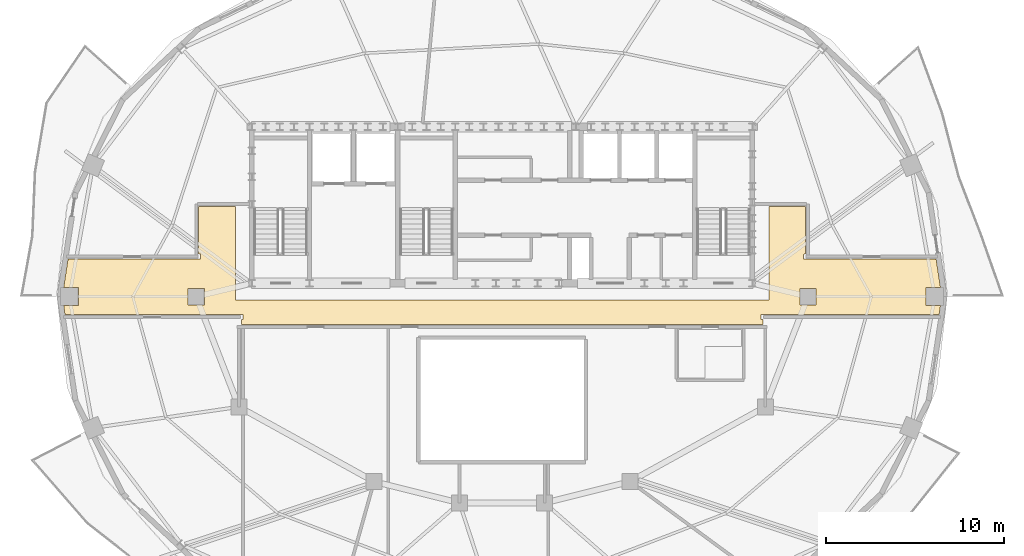
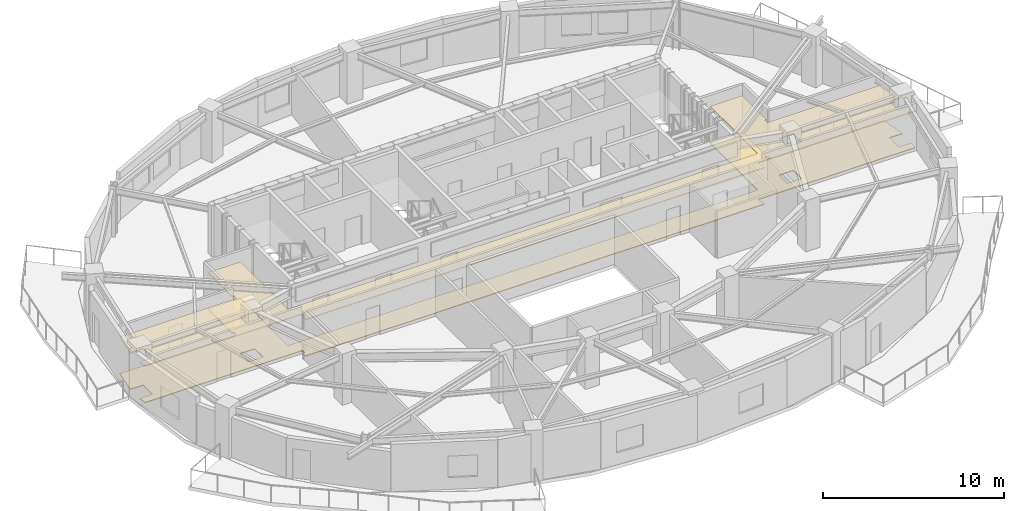
# One storey, part 8 of 10: 2 coverings.
"""IFC4 building model written with IfcOpenShell, lengths in metres."""

from ifc_helpers import new_model, si_unit, direction, frame, origin, place, context, subcontext, project, spatial, polyline, outline, extrude, material, layer, layer_set, type_object, element, save


model = new_model("IFC4")

# Units and contexts
model_context = context("Model", 3, precision=1e-05, world=origin(), true_north=direction((0.0, 1.0)))
body_context = subcontext(model_context, "Body", "Model", "MODEL_VIEW")
ifc_project = project(units=[si_unit("LENGTHUNIT", "METRE"), si_unit("AREAUNIT", "SQUARE_METRE"), si_unit("VOLUMEUNIT", "CUBIC_METRE"), si_unit("PLANEANGLEUNIT", "RADIAN"), si_unit("MASSUNIT", "GRAM", prefix="KILO")], contexts=[model_context])

# Site, building, storey
site_placement = place(None, origin())
site = spatial("IfcSite", under=ifc_project, at=site_placement, CompositionType="ELEMENT")
building_placement = place(site_placement, origin())
building = spatial("IfcBuilding", under=site, at=building_placement, Name="Haldorwick Loom Tower", CompositionType="ELEMENT")
storey_placement = place(building_placement, frame((0.0, 0.0, 266.10009765625)))
storey = spatial("IfcBuildingStorey", under=building, at=storey_placement, Name="L72", CompositionType="ELEMENT", Elevation=266.10009765625)

# Coverings
ifc_material_1 = material(Name="Mineral Fibre Acoustic Ceiling Tile")
ifc_layer_1 = layer(ifc_material_1, 0.054931640625, Name="Mineral Fibre Acoustic Ceiling Tile")
ifc_layer_set_1 = layer_set([ifc_layer_1], Name="Mineral Fibre Acoustic Ceiling Tile")
covering_type_1 = type_object("IfcCoveringType", Name="ARC-COV-CEIL2", PredefinedType="CEILING", material=ifc_layer_set_1)
covering_1_placement = place(storey_placement, frame((0.0, 0.0, 2.458984375)))
element("IfcCovering", 1, at=covering_1_placement, inside=storey, type_object=covering_type_1, Name="L72 Acoustic Suspended Ceiling 1", PredefinedType="CEILING", context=body_context, shape_type="SweptSolid", body=[
    extrude(outline(polyline([(11.423583984375, 24.989990234375), (21.419921875, 24.989990234375), (21.422119140625, 24.989990234375), (21.423828125, 24.989501953125), (21.42578125, 24.989013671875), (21.427734375, 24.988525390625), (21.429443359375, 24.987548828125), (21.43115234375, 24.986572265625), (21.4326171875, 24.985595703125), (21.43408203125, 24.984130859375), (21.435546875, 24.982666015625), (21.4365234375, 24.981201171875), (21.4375, 24.9794921875), (21.4384765625, 24.977783203125), (21.439208984375, 24.975830078125), (21.439697265625, 24.973876953125), (21.43994140625, 24.971923828125), (21.43994140625, 24.969970703125), (21.43994140625, 24.72998046875), (21.43994140625, 24.72802734375), (21.439697265625, 24.72607421875), (21.439208984375, 24.72412109375), (21.4384765625, 24.722412109375), (21.4375, 24.720703125), (21.4365234375, 24.718994140625), (21.435546875, 24.71728515625), (21.43408203125, 24.7158203125), (21.4326171875, 24.714599609375), (21.43115234375, 24.71337890625), (21.429443359375, 24.71240234375), (21.427734375, 24.71142578125), (21.42578125, 24.7109375), (21.423828125, 24.71044921875), (21.422119140625, 24.710205078125), (21.419921875, 24.7099609375), (21.340087890625, 24.7099609375), (21.340087890625, 24.43994140625), (50.659912109375, 24.43994140625), (50.659912109375, 24.7099609375), (50.580078125, 24.7099609375), (50.577880859375, 24.710205078125), (50.576171875, 24.71044921875), (50.57421875, 24.7109375), (50.572265625, 24.71142578125), (50.570556640625, 24.71240234375), (50.56884765625, 24.71337890625), (50.5673828125, 24.714599609375), (50.56591796875, 24.7158203125), (50.564453125, 24.71728515625), (50.5634765625, 24.718994140625), (50.5625, 24.720703125), (50.5615234375, 24.722412109375), (50.560791015625, 24.72412109375), (50.560302734375, 24.72607421875), (50.56005859375, 24.72802734375), (50.56005859375, 24.72998046875), (50.56005859375, 24.969970703125), (50.56005859375, 24.971923828125), (50.560302734375, 24.973876953125), (50.560791015625, 24.975830078125), (50.5615234375, 24.977783203125), (50.5625, 24.9794921875), (50.5634765625, 24.981201171875), (50.564453125, 24.982666015625), (50.56591796875, 24.984130859375), (50.5673828125, 24.985595703125), (50.56884765625, 24.986572265625), (50.570556640625, 24.987548828125), (50.572265625, 24.988525390625), (50.57421875, 24.989013671875), (50.576171875, 24.989501953125), (50.577880859375, 24.989990234375), (50.580078125, 24.989990234375), (60.576416015625, 24.989990234375), (60.65283203125, 25.491943359375), (59.828857421875, 25.491943359375), (59.828857421875, 26.508056640625), (60.65283203125, 26.508056640625), (60.408935546875, 28.110107421875), (52.97998046875, 28.110107421875), (52.97802734375, 28.110107421875), (52.97607421875, 28.1103515625), (52.97412109375, 28.11083984375), (52.972412109375, 28.111572265625), (52.970703125, 28.1123046875), (52.968994140625, 28.11328125), (52.96728515625, 28.114501953125), (52.9658203125, 28.115966796875), (52.964599609375, 28.1171875), (52.96337890625, 28.118896484375), (52.96240234375, 28.12060546875), (52.96142578125, 28.122314453125), (52.9609375, 28.124267578125), (52.96044921875, 28.126220703125), (52.960205078125, 28.1279296875), (52.9599609375, 28.1298828125), (52.9599609375, 28.3701171875), (52.960205078125, 28.3720703125), (52.96044921875, 28.373779296875), (52.9609375, 28.375732421875), (52.96142578125, 28.377685546875), (52.96240234375, 28.37939453125), (52.96337890625, 28.381103515625), (52.964599609375, 28.3828125), (52.9658203125, 28.384033203125), (52.96728515625, 28.385498046875), (52.968994140625, 28.38671875), (52.970703125, 28.3876953125), (52.972412109375, 28.388427734375), (52.97412109375, 28.38916015625), (52.97607421875, 28.3896484375), (52.97802734375, 28.389892578125), (52.97998046875, 28.389892578125), (53.06005859375, 28.389892578125), (53.06005859375, 31.06005859375), (51.0, 31.06005859375), (51.0, 25.800048828125), (21.0, 25.800048828125), (21.0, 31.06005859375), (18.93994140625, 31.06005859375), (18.93994140625, 28.389892578125), (19.02001953125, 28.389892578125), (19.02197265625, 28.389892578125), (19.02392578125, 28.3896484375), (19.02587890625, 28.38916015625), (19.027587890625, 28.388427734375), (19.029296875, 28.3876953125), (19.031005859375, 28.38671875), (19.03271484375, 28.385498046875), (19.0341796875, 28.384033203125), (19.035400390625, 28.3828125), (19.03662109375, 28.381103515625), (19.03759765625, 28.37939453125), (19.03857421875, 28.377685546875), (19.0390625, 28.375732421875), (19.03955078125, 28.373779296875), (19.039794921875, 28.3720703125), (19.0400390625, 28.3701171875), (19.0400390625, 28.1298828125), (19.039794921875, 28.1279296875), (19.03955078125, 28.126220703125), (19.0390625, 28.124267578125), (19.03857421875, 28.122314453125), (19.03759765625, 28.12060546875), (19.03662109375, 28.118896484375), (19.035400390625, 28.1171875), (19.0341796875, 28.115966796875), (19.03271484375, 28.114501953125), (19.031005859375, 28.11328125), (19.029296875, 28.1123046875), (19.027587890625, 28.111572265625), (19.02587890625, 28.11083984375), (19.02392578125, 28.1103515625), (19.02197265625, 28.110107421875), (19.02001953125, 28.110107421875), (11.591064453125, 28.110107421875), (11.34716796875, 26.508056640625), (12.171142578125, 26.508056640625), (12.171142578125, 25.491943359375), (11.34716796875, 25.491943359375), (11.423583984375, 24.989990234375)]), holes=[polyline([(19.258056640625, 26.4580078125), (19.258056640625, 25.5419921875), (18.342041015625, 25.5419921875), (18.342041015625, 26.4580078125), (19.258056640625, 26.4580078125)]), polyline([(53.657958984375, 26.4580078125), (53.657958984375, 25.5419921875), (52.741943359375, 25.5419921875), (52.741943359375, 26.4580078125), (53.657958984375, 26.4580078125)])]), origin(), (0.0, 0.0, 1.0), 0.054931640625),
])
ifc_material_2 = material(Name="Polished Aggregate Terrazzo Finish")
ifc_layer_2 = layer(ifc_material_2, 0.044921875, Name="Polished Aggregate Terrazzo Finish")
ifc_layer_set_2 = layer_set([ifc_layer_2], Name="Polished Aggregate Terrazzo Finish")
covering_type_2 = type_object("IfcCoveringType", Name="ARC-COV-FLOOR2", PredefinedType="FLOORING", material=ifc_layer_set_2)
covering_2_placement = place(storey_placement, origin())
element("IfcCovering", 2, at=covering_2_placement, inside=storey, type_object=covering_type_2, Name="L72 Floor Finish 1", PredefinedType="FLOORING", context=body_context, shape_type="SweptSolid", body=[
    extrude(outline(polyline([(11.423583984375, 24.989990234375), (21.419921875, 24.989990234375), (21.422119140625, 24.989990234375), (21.423828125, 24.989501953125), (21.42578125, 24.989013671875), (21.427734375, 24.988525390625), (21.429443359375, 24.987548828125), (21.43115234375, 24.986572265625), (21.4326171875, 24.985595703125), (21.43408203125, 24.984130859375), (21.435546875, 24.982666015625), (21.4365234375, 24.981201171875), (21.4375, 24.9794921875), (21.4384765625, 24.977783203125), (21.439208984375, 24.975830078125), (21.439697265625, 24.973876953125), (21.43994140625, 24.971923828125), (21.43994140625, 24.969970703125), (21.43994140625, 24.72998046875), (21.43994140625, 24.72802734375), (21.439697265625, 24.72607421875), (21.439208984375, 24.72412109375), (21.4384765625, 24.722412109375), (21.4375, 24.720703125), (21.4365234375, 24.718994140625), (21.435546875, 24.71728515625), (21.43408203125, 24.7158203125), (21.4326171875, 24.714599609375), (21.43115234375, 24.71337890625), (21.429443359375, 24.71240234375), (21.427734375, 24.71142578125), (21.42578125, 24.7109375), (21.423828125, 24.71044921875), (21.422119140625, 24.710205078125), (21.419921875, 24.7099609375), (21.340087890625, 24.7099609375), (21.340087890625, 24.43994140625), (50.659912109375, 24.43994140625), (50.659912109375, 24.7099609375), (50.580078125, 24.7099609375), (50.577880859375, 24.710205078125), (50.576171875, 24.71044921875), (50.57421875, 24.7109375), (50.572265625, 24.71142578125), (50.570556640625, 24.71240234375), (50.56884765625, 24.71337890625), (50.5673828125, 24.714599609375), (50.56591796875, 24.7158203125), (50.564453125, 24.71728515625), (50.5634765625, 24.718994140625), (50.5625, 24.720703125), (50.5615234375, 24.722412109375), (50.560791015625, 24.72412109375), (50.560302734375, 24.72607421875), (50.56005859375, 24.72802734375), (50.56005859375, 24.72998046875), (50.56005859375, 24.969970703125), (50.56005859375, 24.971923828125), (50.560302734375, 24.973876953125), (50.560791015625, 24.975830078125), (50.5615234375, 24.977783203125), (50.5625, 24.9794921875), (50.5634765625, 24.981201171875), (50.564453125, 24.982666015625), (50.56591796875, 24.984130859375), (50.5673828125, 24.985595703125), (50.56884765625, 24.986572265625), (50.570556640625, 24.987548828125), (50.572265625, 24.988525390625), (50.57421875, 24.989013671875), (50.576171875, 24.989501953125), (50.577880859375, 24.989990234375), (50.580078125, 24.989990234375), (60.576416015625, 24.989990234375), (60.65283203125, 25.491943359375), (59.828857421875, 25.491943359375), (59.828857421875, 26.508056640625), (60.65283203125, 26.508056640625), (60.408935546875, 28.110107421875), (52.97998046875, 28.110107421875), (52.97802734375, 28.110107421875), (52.97607421875, 28.1103515625), (52.97412109375, 28.11083984375), (52.972412109375, 28.111572265625), (52.970703125, 28.1123046875), (52.968994140625, 28.11328125), (52.96728515625, 28.114501953125), (52.9658203125, 28.115966796875), (52.964599609375, 28.1171875), (52.96337890625, 28.118896484375), (52.96240234375, 28.12060546875), (52.96142578125, 28.122314453125), (52.9609375, 28.124267578125), (52.96044921875, 28.126220703125), (52.960205078125, 28.1279296875), (52.9599609375, 28.1298828125), (52.9599609375, 28.3701171875), (52.960205078125, 28.3720703125), (52.96044921875, 28.373779296875), (52.9609375, 28.375732421875), (52.96142578125, 28.377685546875), (52.96240234375, 28.37939453125), (52.96337890625, 28.381103515625), (52.964599609375, 28.3828125), (52.9658203125, 28.384033203125), (52.96728515625, 28.385498046875), (52.968994140625, 28.38671875), (52.970703125, 28.3876953125), (52.972412109375, 28.388427734375), (52.97412109375, 28.38916015625), (52.97607421875, 28.3896484375), (52.97802734375, 28.389892578125), (52.97998046875, 28.389892578125), (53.06005859375, 28.389892578125), (53.06005859375, 31.06005859375), (51.0, 31.06005859375), (51.0, 25.800048828125), (21.0, 25.800048828125), (21.0, 31.06005859375), (18.93994140625, 31.06005859375), (18.93994140625, 28.389892578125), (19.02001953125, 28.389892578125), (19.02197265625, 28.389892578125), (19.02392578125, 28.3896484375), (19.02587890625, 28.38916015625), (19.027587890625, 28.388427734375), (19.029296875, 28.3876953125), (19.031005859375, 28.38671875), (19.03271484375, 28.385498046875), (19.0341796875, 28.384033203125), (19.035400390625, 28.3828125), (19.03662109375, 28.381103515625), (19.03759765625, 28.37939453125), (19.03857421875, 28.377685546875), (19.0390625, 28.375732421875), (19.03955078125, 28.373779296875), (19.039794921875, 28.3720703125), (19.0400390625, 28.3701171875), (19.0400390625, 28.1298828125), (19.039794921875, 28.1279296875), (19.03955078125, 28.126220703125), (19.0390625, 28.124267578125), (19.03857421875, 28.122314453125), (19.03759765625, 28.12060546875), (19.03662109375, 28.118896484375), (19.035400390625, 28.1171875), (19.0341796875, 28.115966796875), (19.03271484375, 28.114501953125), (19.031005859375, 28.11328125), (19.029296875, 28.1123046875), (19.027587890625, 28.111572265625), (19.02587890625, 28.11083984375), (19.02392578125, 28.1103515625), (19.02197265625, 28.110107421875), (19.02001953125, 28.110107421875), (11.591064453125, 28.110107421875), (11.34716796875, 26.508056640625), (12.171142578125, 26.508056640625), (12.171142578125, 25.491943359375), (11.34716796875, 25.491943359375), (11.423583984375, 24.989990234375)]), holes=[polyline([(19.258056640625, 26.4580078125), (19.258056640625, 25.5419921875), (18.342041015625, 25.5419921875), (18.342041015625, 26.4580078125), (19.258056640625, 26.4580078125)]), polyline([(53.657958984375, 26.4580078125), (53.657958984375, 25.5419921875), (52.741943359375, 25.5419921875), (52.741943359375, 26.4580078125), (53.657958984375, 26.4580078125)])]), origin(), (0.0, 0.0, 1.0), 0.044921875),
])

save(model, "model.ifc")
